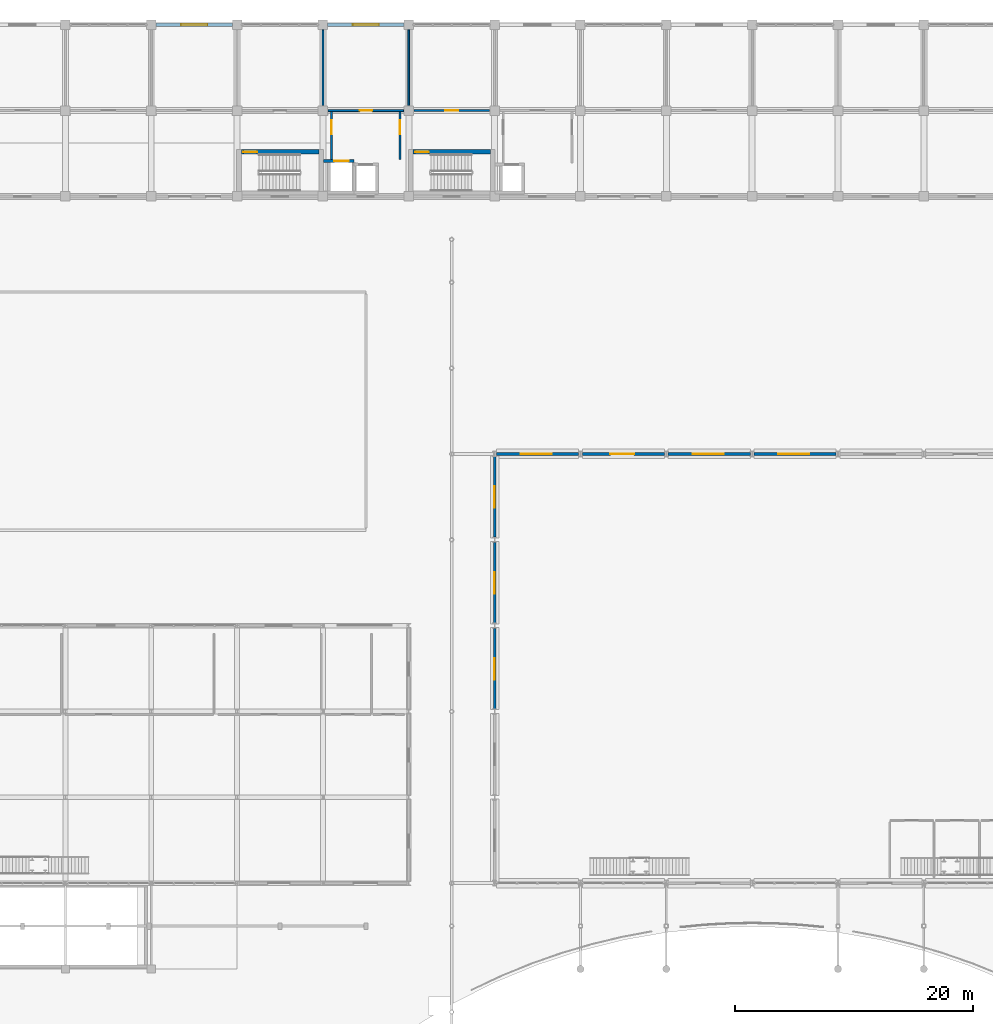
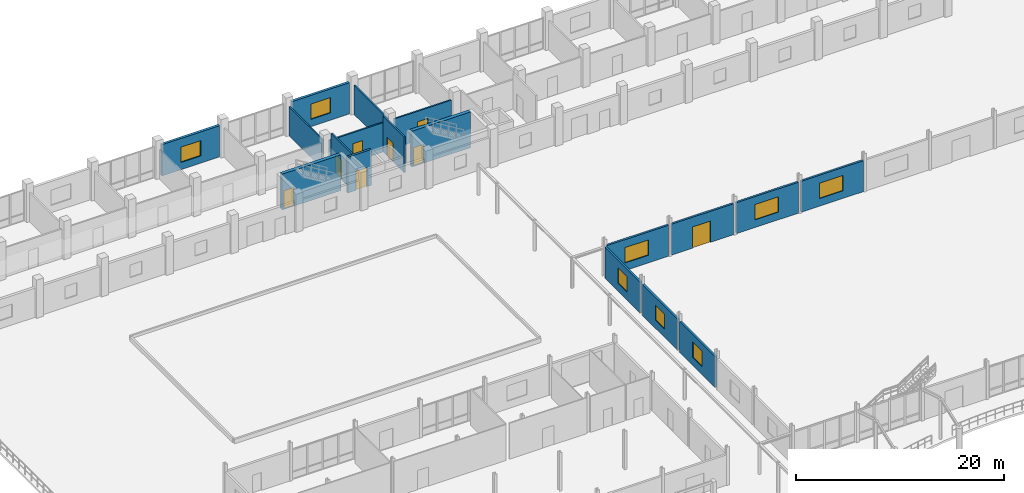
# One storey, part 117 of 139: 18 walls, 8 doors, 8 windows, 16 openings.
"""IFC4 building model written with IfcOpenShell, lengths in metres."""

from ifc_helpers import new_model, si_unit, direction, frame, frame_2d, origin, place, context, subcontext, project, spatial, rectangle, extrude, material, layer, layer_set, type_object, element, fill, save


model = new_model("IFC4")

# Units and contexts
model_context = context("Model", 3, precision=1e-05, world=origin(), true_north=direction((0.0, 1.0)))
body_context = subcontext(model_context, "Body", "Model", "MODEL_VIEW")
ifc_project = project(units=[si_unit("LENGTHUNIT", "METRE"), si_unit("AREAUNIT", "SQUARE_METRE"), si_unit("VOLUMEUNIT", "CUBIC_METRE"), si_unit("PLANEANGLEUNIT", "RADIAN"), si_unit("MASSUNIT", "GRAM", prefix="KILO")], contexts=[model_context])

# Site, building, storey
site_placement = place(None, origin())
site = spatial("IfcSite", under=ifc_project, at=site_placement, CompositionType="ELEMENT")
building_placement = place(site_placement, origin())
building = spatial("IfcBuilding", under=site, at=building_placement, Name="Suanplinth Sawtooth Commons", CompositionType="ELEMENT")
storey_placement = place(building_placement, origin())
storey = spatial("IfcBuildingStorey", under=building, at=storey_placement, Name="L00", CompositionType="ELEMENT", Elevation=0.0)

# Wall, opening, door
ifc_material_1 = material(Name="Concrete C40/50", Category="concrete")
ifc_layer_1 = layer(ifc_material_1, 0.3798828125, Name="Lower high-rise RC core shear wall 380mm")
ifc_layer_set_1 = layer_set([ifc_layer_1], Name="Concrete C40/50")
wall_type_1 = type_object("IfcWallType", Name="W-CR01", PredefinedType="SHEAR", material=ifc_layer_set_1)
wall_1_placement = place(storey_placement, frame((43.550048828125, 111.739990234375, 0.0), z_axis=(0.0, 0.0, 1.0), x_axis=(1.0, 0.0, 0.0)))
wall_1 = element("IfcWall", 1, at=wall_1_placement, inside=storey, type_object=wall_type_1, Name="W-L00-C-A1-STN", PredefinedType="SHEAR", context=body_context, shape_type="SweptSolid", body=[
    extrude(rectangle(XDim=6.5, YDim=0.3798828125, at=frame_2d((3.25, 0.0))), origin(), (0.0, 0.0, 1.0), 4.199951171875),
])
opening_1_placement = place(wall_1_placement, frame((0.179931640625, 0.0, 0.0)))
opening_1 = element("IfcOpeningElement", 2, at=opening_1_placement, cuts=wall_1, Name="Opening FD0006", PredefinedType="OPENING", context=body_context, shape_type="SweptSolid", body=[
    extrude(rectangle(XDim=1.14990234375, YDim=2.199951171875, at=frame_2d((0.574951171875, 1.10009765625))), frame((0.0, 0.204833984375, 0.0), z_axis=(0.0, -1.0, 0.0), x_axis=(1.0, 0.0, 0.0)), (0.0, 0.0, 1.0), 0.40966796875),
])
ifc_material_2 = material(Name="Teak hardwood fire-rated door assembly", Category="wood")
door_type_1 = type_object("IfcDoorType", Name="FD-01", OperationType="NOTDEFINED", PredefinedType="DOOR", material=ifc_material_2)
door_1_placement = place(opening_1_placement, origin())
door_1 = element("IfcDoor", 3, at=door_1_placement, inside=storey, type_object=door_type_1, Name="Exit Stair Fire Door FD0006", OperationType="SINGLE_SWING_LEFT", OverallHeight=2.199951171875, OverallWidth=1.14990234375, PredefinedType="DOOR", context=body_context, shape_type="SweptSolid", body=[
    extrude(rectangle(XDim=1.14990234375, YDim=2.199951171875, at=frame_2d((0.574951171875, 1.10009765625))), frame((0.0, 0.02490234375, 0.0), z_axis=(0.0, -1.0, 0.0), x_axis=(1.0, 0.0, 0.0)), (0.0, 0.0, 1.0), 0.050048828125),
])
fill(opening_1, door_1)

wall_2_placement = place(storey_placement, frame((57.949951171875, 111.739990234375, 0.0), z_axis=(0.0, 0.0, 1.0), x_axis=(1.0, 0.0, 0.0)))
wall_2 = element("IfcWall", 4, at=wall_2_placement, inside=storey, type_object=wall_type_1, Name="W-L00-C-A2-STN", PredefinedType="SHEAR", context=body_context, shape_type="SweptSolid", body=[
    extrude(rectangle(XDim=6.5, YDim=0.3798828125, at=frame_2d((3.25, 0.0))), origin(), (0.0, 0.0, 1.0), 4.199951171875),
])
opening_2_placement = place(wall_2_placement, frame((0.179931640625, 0.0, 0.0)))
opening_2 = element("IfcOpeningElement", 5, at=opening_2_placement, cuts=wall_2, Name="Opening FD0090", PredefinedType="OPENING", context=body_context, shape_type="SweptSolid", body=[
    extrude(rectangle(XDim=1.14990234375, YDim=2.199951171875, at=frame_2d((0.574951171875, 1.10009765625))), frame((0.0, 0.204833984375, 0.0), z_axis=(0.0, -1.0, 0.0), x_axis=(1.0, 0.0, 0.0)), (0.0, 0.0, 1.0), 0.40966796875),
])
door_2_placement = place(opening_2_placement, origin())
door_2 = element("IfcDoor", 6, at=door_2_placement, inside=storey, type_object=door_type_1, Name="Exit Stair Fire Door FD0090", OperationType="SINGLE_SWING_RIGHT", OverallHeight=2.199951171875, OverallWidth=1.14990234375, PredefinedType="DOOR", context=body_context, shape_type="SweptSolid", body=[
    extrude(rectangle(XDim=1.14990234375, YDim=2.199951171875, at=frame_2d((0.574951171875, 1.10009765625))), frame((0.0, 0.02490234375, 0.0), z_axis=(0.0, -1.0, 0.0), x_axis=(1.0, 0.0, 0.0)), (0.0, 0.0, 1.0), 0.050048828125),
])
fill(opening_2, door_2)

# Wall, opening, window
ifc_material_3 = material(Name="Precast concrete C40/50", Category="concrete")
ifc_layer_2 = layer(ifc_material_3, 0.280029296875, Name="Insulated precast architectural facade wall 280mm")
ifc_layer_set_2 = layer_set([ifc_layer_2], Name="Precast concrete C40/50")
wall_type_2 = type_object("IfcWallType", Name="W-EX01", PredefinedType="ELEMENTEDWALL", material=ifc_layer_set_2)
wall_3_placement = place(storey_placement, frame((36.39990234375, 122.39990234375, 0.0), z_axis=(0.0, 0.0, 1.0), x_axis=(1.0, 0.0, 0.0)))
wall_3 = element("IfcWall", 7, at=wall_3_placement, inside=storey, type_object=wall_type_2, Name="Facade Wall W-L00-A-N-5", PredefinedType="ELEMENTEDWALL", context=body_context, shape_type="SweptSolid", body=[
    extrude(rectangle(XDim=6.400146484375, YDim=0.280029296875, at=frame_2d((3.2001953125, 0.0))), origin(), (0.0, 0.0, 1.0), 3.6650390625),
])
opening_3_placement = place(wall_3_placement, frame((2.10009765625, 0.0, 0.85009765625)))
opening_3 = element("IfcOpeningElement", 8, at=opening_3_placement, cuts=wall_3, Name="Opening W0080", PredefinedType="OPENING", context=body_context, shape_type="SweptSolid", body=[
    extrude(rectangle(XDim=2.199951171875, YDim=1.800048828125, at=frame_2d((1.10009765625, 0.89990234375))), frame((0.0, 0.15478515625, 0.0), z_axis=(0.0, -1.0, 0.0), x_axis=(1.0, 0.0, 0.0)), (0.0, 0.0, 1.0), 0.309814453125),
])
ifc_material_4 = material(Name="Thermally broken aluminium and low-E double glazing", Category="aluminium")
window_type_1 = type_object("IfcWindowType", Name="WN-11", PartitioningType="TRIPLE_PANEL_VERTICAL", PredefinedType="WINDOW", material=ifc_material_4)
window_1_placement = place(opening_3_placement, origin())
window_1 = element("IfcWindow", 9, at=window_1_placement, inside=storey, type_object=window_type_1, Name="Shopfront Window A-5", OverallHeight=1.800048828125, OverallWidth=2.199951171875, PartitioningType="TRIPLE_PANEL_VERTICAL", PredefinedType="WINDOW", context=body_context, shape_type="SweptSolid", body=[
    extrude(rectangle(XDim=2.199951171875, YDim=1.800048828125, at=frame_2d((1.10009765625, 0.89990234375))), frame((0.0, 0.030029296875, 0.0), z_axis=(0.0, -1.0, 0.0), x_axis=(1.0, 0.0, 0.0)), (0.0, 0.0, 1.0), 0.06005859375),
])
fill(opening_3, window_1)

wall_4_placement = place(storey_placement, frame((50.800048828125, 122.39990234375, 0.0), z_axis=(0.0, 0.0, 1.0), x_axis=(1.0, 0.0, 0.0)))
wall_4 = element("IfcWall", 10, at=wall_4_placement, inside=storey, type_object=wall_type_2, Name="Facade Wall W-L00-A-N-7", PredefinedType="ELEMENTEDWALL", context=body_context, shape_type="SweptSolid", body=[
    extrude(rectangle(XDim=6.39990234375, YDim=0.280029296875, at=frame_2d((3.199951171875, 0.0))), origin(), (0.0, 0.0, 1.0), 3.6650390625),
])
opening_4_placement = place(wall_4_placement, frame((2.10009765625, 0.0, 0.85009765625)))
opening_4 = element("IfcOpeningElement", 11, at=opening_4_placement, cuts=wall_4, Name="Opening W0082", PredefinedType="OPENING", context=body_context, shape_type="SweptSolid", body=[
    extrude(rectangle(XDim=2.199951171875, YDim=1.800048828125, at=frame_2d((1.10009765625, 0.89990234375))), frame((0.0, 0.15478515625, 0.0), z_axis=(0.0, -1.0, 0.0), x_axis=(1.0, 0.0, 0.0)), (0.0, 0.0, 1.0), 0.309814453125),
])
window_2_placement = place(opening_4_placement, origin())
window_2 = element("IfcWindow", 12, at=window_2_placement, inside=storey, type_object=window_type_1, Name="Shopfront Window A-7", OverallHeight=1.800048828125, OverallWidth=2.199951171875, PartitioningType="TRIPLE_PANEL_VERTICAL", PredefinedType="WINDOW", context=body_context, shape_type="SweptSolid", body=[
    extrude(rectangle(XDim=2.199951171875, YDim=1.800048828125, at=frame_2d((1.10009765625, 0.89990234375))), frame((0.0, 0.030029296875, 0.0), z_axis=(0.0, -1.0, 0.0), x_axis=(1.0, 0.0, 0.0)), (0.0, 0.0, 1.0), 0.06005859375),
])
fill(opening_4, window_2)

ifc_layer_3 = layer(ifc_material_3, 0.219970703125, Name="Civic pavilion insulated facade wall 220mm")
ifc_layer_set_3 = layer_set([ifc_layer_3], Name="Precast concrete C40/50")
wall_type_3 = type_object("IfcWallType", Name="W-EX05", PredefinedType="ELEMENTEDWALL", material=ifc_layer_set_3)
wall_5_placement = place(storey_placement, frame((64.949951171875, 86.39990234375, 0.0), z_axis=(0.0, 0.0, 1.0), x_axis=(1.0, 0.0, 0.0)))
wall_5 = element("IfcWall", 13, at=wall_5_placement, inside=storey, type_object=wall_type_3, Name="Hall North Facade Wall L00-0", PredefinedType="ELEMENTEDWALL", context=body_context, shape_type="SweptSolid", body=[
    extrude(rectangle(XDim=6.900146484375, YDim=0.219970703125, at=frame_2d((3.4501953125, 0.0))), origin(), (0.0, 0.0, 1.0), 3.635009765625),
])
opening_5_placement = place(wall_5_placement, frame((2.050048828125, 0.0, 0.89990234375)))
opening_5 = element("IfcOpeningElement", 14, at=opening_5_placement, cuts=wall_5, Name="Opening W0001", PredefinedType="OPENING", context=body_context, shape_type="SweptSolid", body=[
    extrude(rectangle(XDim=2.60009765625, YDim=1.800048828125, at=frame_2d((1.300048828125, 0.89990234375))), frame((0.0, 0.125, 0.0), z_axis=(0.0, -1.0, 0.0), x_axis=(1.0, 0.0, 0.0)), (0.0, 0.0, 1.0), 0.249755859375),
])
window_type_2 = type_object("IfcWindowType", Name="WN-13", PartitioningType="TRIPLE_PANEL_VERTICAL", PredefinedType="WINDOW", material=ifc_material_4)
window_3_placement = place(opening_5_placement, origin())
window_3 = element("IfcWindow", 15, at=window_3_placement, inside=storey, type_object=window_type_2, Name="Hall North Window L00-0", OverallHeight=1.800048828125, OverallWidth=2.60009765625, PartitioningType="TRIPLE_PANEL_VERTICAL", PredefinedType="WINDOW", context=body_context, shape_type="SweptSolid", body=[
    extrude(rectangle(XDim=2.60009765625, YDim=1.800048828125, at=frame_2d((1.300048828125, 0.89990234375))), frame((0.0, 0.030029296875, 0.0), z_axis=(0.0, -1.0, 0.0), x_axis=(1.0, 0.0, 0.0)), (0.0, 0.0, 1.0), 0.06005859375),
])
fill(opening_5, window_3)

# Wall, opening, door
wall_6_placement = place(storey_placement, frame((72.14990234375, 86.39990234375, 0.0), z_axis=(0.0, 0.0, 1.0), x_axis=(1.0, 0.0, 0.0)))
wall_6 = element("IfcWall", 16, at=wall_6_placement, inside=storey, type_object=wall_type_3, Name="Hall North Facade Wall L00-1", PredefinedType="ELEMENTEDWALL", context=body_context, shape_type="SweptSolid", body=[
    extrude(rectangle(XDim=6.900146484375, YDim=0.219970703125, at=frame_2d((3.4501953125, 0.0))), origin(), (0.0, 0.0, 1.0), 3.635009765625),
])
opening_6_placement = place(wall_6_placement, frame((2.35009765625, 0.0, 0.0)))
opening_6 = element("IfcOpeningElement", 17, at=opening_6_placement, cuts=wall_6, Name="Opening ED0005", PredefinedType="OPENING", context=body_context, shape_type="SweptSolid", body=[
    extrude(rectangle(XDim=2.0, YDim=2.5, at=frame_2d((1.0, 1.25))), frame((0.0, 0.125, 0.0), z_axis=(0.0, -1.0, 0.0), x_axis=(1.0, 0.0, 0.0)), (0.0, 0.0, 1.0), 0.249755859375),
])
ifc_material_5 = material(Name="Anodized aluminium and laminated glass", Category="aluminium")
door_type_2 = type_object("IfcDoorType", Name="ED-02", OperationType="DOUBLE_DOOR_SINGLE_SWING", PredefinedType="DOOR", material=ifc_material_5)
door_3_placement = place(opening_6_placement, frame((2.0, 0.0, 0.0), z_axis=(0.0, 0.0, 1.0), x_axis=(-1.0, 0.0, 0.0)))
door_3 = element("IfcDoor", 18, at=door_3_placement, inside=storey, type_object=door_type_2, Name="Hall North Courtyard Exit 1", OperationType="DOUBLE_DOOR_SINGLE_SWING", OverallHeight=2.5, OverallWidth=2.0, PredefinedType="DOOR", context=body_context, shape_type="SweptSolid", body=[
    extrude(rectangle(XDim=2.0, YDim=2.5, at=frame_2d((1.0, 1.25))), frame((0.0, 0.02490234375, 0.0), z_axis=(0.0, -1.0, 0.0), x_axis=(1.0, 0.0, 0.0)), (0.0, 0.0, 1.0), 0.050048828125),
])
fill(opening_6, door_3)

# Wall, opening, window
wall_7_placement = place(storey_placement, frame((79.35009765625, 86.39990234375, 0.0), z_axis=(0.0, 0.0, 1.0), x_axis=(1.0, 0.0, 0.0)))
wall_7 = element("IfcWall", 19, at=wall_7_placement, inside=storey, type_object=wall_type_3, Name="Hall North Facade Wall L00-2", PredefinedType="ELEMENTEDWALL", context=body_context, shape_type="SweptSolid", body=[
    extrude(rectangle(XDim=6.89990234375, YDim=0.219970703125, at=frame_2d((3.449951171875, 0.0))), origin(), (0.0, 0.0, 1.0), 3.635009765625),
])
opening_7_placement = place(wall_7_placement, frame((2.050048828125, 0.0, 0.89990234375)))
opening_7 = element("IfcOpeningElement", 20, at=opening_7_placement, cuts=wall_7, Name="Opening W0002", PredefinedType="OPENING", context=body_context, shape_type="SweptSolid", body=[
    extrude(rectangle(XDim=2.60009765625, YDim=1.800048828125, at=frame_2d((1.300048828125, 0.89990234375))), frame((0.0, 0.125, 0.0), z_axis=(0.0, -1.0, 0.0), x_axis=(1.0, 0.0, 0.0)), (0.0, 0.0, 1.0), 0.249755859375),
])
window_4_placement = place(opening_7_placement, origin())
window_4 = element("IfcWindow", 21, at=window_4_placement, inside=storey, type_object=window_type_2, Name="Hall North Window L00-2", OverallHeight=1.800048828125, OverallWidth=2.60009765625, PartitioningType="TRIPLE_PANEL_VERTICAL", PredefinedType="WINDOW", context=body_context, shape_type="SweptSolid", body=[
    extrude(rectangle(XDim=2.60009765625, YDim=1.800048828125, at=frame_2d((1.300048828125, 0.89990234375))), frame((0.0, 0.030029296875, 0.0), z_axis=(0.0, -1.0, 0.0), x_axis=(1.0, 0.0, 0.0)), (0.0, 0.0, 1.0), 0.06005859375),
])
fill(opening_7, window_4)

wall_8_placement = place(storey_placement, frame((86.550048828125, 86.39990234375, 0.0), z_axis=(0.0, 0.0, 1.0), x_axis=(1.0, 0.0, 0.0)))
wall_8 = element("IfcWall", 22, at=wall_8_placement, inside=storey, type_object=wall_type_3, Name="Hall North Facade Wall L00-3", PredefinedType="ELEMENTEDWALL", context=body_context, shape_type="SweptSolid", body=[
    extrude(rectangle(XDim=6.89990234375, YDim=0.219970703125, at=frame_2d((3.449951171875, 0.0))), origin(), (0.0, 0.0, 1.0), 3.635009765625),
])
opening_8_placement = place(wall_8_placement, frame((2.050048828125, 0.0, 0.89990234375)))
opening_8 = element("IfcOpeningElement", 23, at=opening_8_placement, cuts=wall_8, Name="Opening W0003", PredefinedType="OPENING", context=body_context, shape_type="SweptSolid", body=[
    extrude(rectangle(XDim=2.60009765625, YDim=1.800048828125, at=frame_2d((1.300048828125, 0.89990234375))), frame((0.0, 0.125, 0.0), z_axis=(0.0, -1.0, 0.0), x_axis=(1.0, 0.0, 0.0)), (0.0, 0.0, 1.0), 0.249755859375),
])
window_5_placement = place(opening_8_placement, origin())
window_5 = element("IfcWindow", 24, at=window_5_placement, inside=storey, type_object=window_type_2, Name="Hall North Window L00-3", OverallHeight=1.800048828125, OverallWidth=2.60009765625, PartitioningType="TRIPLE_PANEL_VERTICAL", PredefinedType="WINDOW", context=body_context, shape_type="SweptSolid", body=[
    extrude(rectangle(XDim=2.60009765625, YDim=1.800048828125, at=frame_2d((1.300048828125, 0.89990234375))), frame((0.0, 0.030029296875, 0.0), z_axis=(0.0, -1.0, 0.0), x_axis=(1.0, 0.0, 0.0)), (0.0, 0.0, 1.0), 0.06005859375),
])
fill(opening_8, window_5)

wall_9_placement = place(storey_placement, frame((64.800048828125, 65.02490234375, 0.0), z_axis=(0.0, 0.0, 1.0), x_axis=(0.0, 1.0, 0.0)))
wall_9 = element("IfcWall", 25, at=wall_9_placement, inside=storey, type_object=wall_type_3, Name="Hall W Wall L00-9", PredefinedType="ELEMENTEDWALL", context=body_context, shape_type="SweptSolid", body=[
    extrude(rectangle(XDim=6.75, YDim=0.219970703125, at=frame_2d((3.375, 0.0))), origin(), (0.0, 0.0, 1.0), 3.635009765625),
])
opening_9_placement = place(wall_9_placement, frame((2.449951171875, 0.0, 0.949951171875)))
opening_9 = element("IfcOpeningElement", 26, at=opening_9_placement, cuts=wall_9, Name="Opening W0014", PredefinedType="OPENING", context=body_context, shape_type="SweptSolid", body=[
    extrude(rectangle(XDim=1.800048828125, YDim=1.800048828125, at=frame_2d((0.89990234375, 0.89990234375))), frame((0.0, 0.125, 0.0), z_axis=(0.0, -1.0, 0.0), x_axis=(1.0, 0.0, 0.0)), (0.0, 0.0, 1.0), 0.249755859375),
])
window_type_3 = type_object("IfcWindowType", Name="WN-07", PartitioningType="DOUBLE_PANEL_VERTICAL", PredefinedType="WINDOW", material=ifc_material_4)
window_6_placement = place(opening_9_placement, origin())
window_6 = element("IfcWindow", 27, at=window_6_placement, inside=storey, type_object=window_type_3, Name="Hall W Window L00-9", OverallHeight=1.800048828125, OverallWidth=1.800048828125, PartitioningType="DOUBLE_PANEL_VERTICAL", PredefinedType="WINDOW", context=body_context, shape_type="SweptSolid", body=[
    extrude(rectangle(XDim=1.800048828125, YDim=1.800048828125, at=frame_2d((0.89990234375, 0.89990234375))), frame((0.0, 0.030029296875, 0.0), z_axis=(0.0, -1.0, 0.0), x_axis=(1.0, 0.0, 0.0)), (0.0, 0.0, 1.0), 0.06005859375),
])
fill(opening_9, window_6)

wall_10_placement = place(storey_placement, frame((64.800048828125, 72.22509765625, 0.0), z_axis=(0.0, 0.0, 1.0), x_axis=(0.0, 1.0, 0.0)))
wall_10 = element("IfcWall", 28, at=wall_10_placement, inside=storey, type_object=wall_type_3, Name="Hall W Wall L00-10", PredefinedType="ELEMENTEDWALL", context=body_context, shape_type="SweptSolid", body=[
    extrude(rectangle(XDim=6.75, YDim=0.219970703125, at=frame_2d((3.375, 0.0))), origin(), (0.0, 0.0, 1.0), 3.635009765625),
])
opening_10_placement = place(wall_10_placement, frame((2.449951171875, 0.0, 0.949951171875)))
opening_10 = element("IfcOpeningElement", 29, at=opening_10_placement, cuts=wall_10, Name="Opening W0018", PredefinedType="OPENING", context=body_context, shape_type="SweptSolid", body=[
    extrude(rectangle(XDim=1.800048828125, YDim=1.800048828125, at=frame_2d((0.89990234375, 0.89990234375))), frame((0.0, 0.125, 0.0), z_axis=(0.0, -1.0, 0.0), x_axis=(1.0, 0.0, 0.0)), (0.0, 0.0, 1.0), 0.249755859375),
])
window_7_placement = place(opening_10_placement, origin())
window_7 = element("IfcWindow", 30, at=window_7_placement, inside=storey, type_object=window_type_3, Name="Hall W Window L00-10", OverallHeight=1.800048828125, OverallWidth=1.800048828125, PartitioningType="DOUBLE_PANEL_VERTICAL", PredefinedType="WINDOW", context=body_context, shape_type="SweptSolid", body=[
    extrude(rectangle(XDim=1.800048828125, YDim=1.800048828125, at=frame_2d((0.89990234375, 0.89990234375))), frame((0.0, 0.030029296875, 0.0), z_axis=(0.0, -1.0, 0.0), x_axis=(1.0, 0.0, 0.0)), (0.0, 0.0, 1.0), 0.06005859375),
])
fill(opening_10, window_7)

wall_11_placement = place(storey_placement, frame((64.800048828125, 79.425048828125, 0.0), z_axis=(0.0, 0.0, 1.0), x_axis=(0.0, 1.0, 0.0)))
wall_11 = element("IfcWall", 31, at=wall_11_placement, inside=storey, type_object=wall_type_3, Name="Hall W Wall L00-11", PredefinedType="ELEMENTEDWALL", context=body_context, shape_type="SweptSolid", body=[
    extrude(rectangle(XDim=6.75, YDim=0.219970703125, at=frame_2d((3.375, 0.0))), origin(), (0.0, 0.0, 1.0), 3.635009765625),
])
opening_11_placement = place(wall_11_placement, frame((2.449951171875, 0.0, 0.949951171875)))
opening_11 = element("IfcOpeningElement", 32, at=opening_11_placement, cuts=wall_11, Name="Opening W0022", PredefinedType="OPENING", context=body_context, shape_type="SweptSolid", body=[
    extrude(rectangle(XDim=1.800048828125, YDim=1.800048828125, at=frame_2d((0.89990234375, 0.89990234375))), frame((0.0, 0.125, 0.0), z_axis=(0.0, -1.0, 0.0), x_axis=(1.0, 0.0, 0.0)), (0.0, 0.0, 1.0), 0.249755859375),
])
window_8_placement = place(opening_11_placement, origin())
window_8 = element("IfcWindow", 33, at=window_8_placement, inside=storey, type_object=window_type_3, Name="Hall W Window L00-11", OverallHeight=1.800048828125, OverallWidth=1.800048828125, PartitioningType="DOUBLE_PANEL_VERTICAL", PredefinedType="WINDOW", context=body_context, shape_type="SweptSolid", body=[
    extrude(rectangle(XDim=1.800048828125, YDim=1.800048828125, at=frame_2d((0.89990234375, 0.89990234375))), frame((0.0, 0.030029296875, 0.0), z_axis=(0.0, -1.0, 0.0), x_axis=(1.0, 0.0, 0.0)), (0.0, 0.0, 1.0), 0.06005859375),
])
fill(opening_11, window_8)

# Wall, opening, door
ifc_layer_4 = layer(ifc_material_3, 0.159912109375, Name="Fire-rated corridor and lobby wall 160mm")
ifc_layer_set_4 = layer_set([ifc_layer_4], Name="Precast concrete C40/50")
wall_type_4 = type_object("IfcWallType", Name="W-FW01", PredefinedType="PARTITIONING", material=ifc_layer_set_4)
wall_12_placement = place(storey_placement, frame((51.1201171875, 111.10009765625, 0.0), z_axis=(0.0, 0.0, 1.0), x_axis=(0.0, 1.0, 0.0)))
wall_12 = element("IfcWall", 34, at=wall_12_placement, inside=storey, type_object=wall_type_4, Name="W-L00-C-A1-LOB-W", PredefinedType="PARTITIONING", context=body_context, shape_type="SweptSolid", body=[
    extrude(rectangle(XDim=4.02001953125, YDim=0.159912109375, at=frame_2d((2.010009765625, 0.0))), origin(), (0.0, 0.0, 1.0), 4.199951171875),
])
opening_12_placement = place(wall_12_placement, frame((2.10009765625, 0.0, 0.0)))
opening_12 = element("IfcOpeningElement", 35, at=opening_12_placement, cuts=wall_12, Name="Opening FD0007", PredefinedType="OPENING", context=body_context, shape_type="SweptSolid", body=[
    extrude(rectangle(XDim=1.199951171875, YDim=2.199951171875, at=frame_2d((0.60009765625, 1.10009765625))), frame((0.0, 0.0947265625, 0.0), z_axis=(0.0, -1.0, 0.0), x_axis=(1.0, 0.0, 0.0)), (0.0, 0.0, 1.0), 0.189697265625),
])
door_type_3 = type_object("IfcDoorType", Name="FD-02", OperationType="NOTDEFINED", PredefinedType="DOOR", material=ifc_material_2)
door_4_placement = place(opening_12_placement, origin())
door_4 = element("IfcDoor", 36, at=door_4_placement, inside=storey, type_object=door_type_3, Name="Lobby Fire Door FD0007", OperationType="SINGLE_SWING_RIGHT", OverallHeight=2.199951171875, OverallWidth=1.199951171875, PredefinedType="DOOR", context=body_context, shape_type="SweptSolid", body=[
    extrude(rectangle(XDim=1.199951171875, YDim=2.199951171875, at=frame_2d((0.60009765625, 1.10009765625))), frame((0.0, 0.02490234375, 0.0), z_axis=(0.0, -1.0, 0.0), x_axis=(1.0, 0.0, 0.0)), (0.0, 0.0, 1.0), 0.050048828125),
])
fill(opening_12, door_4)

wall_13_placement = place(storey_placement, frame((56.8798828125, 111.10009765625, 0.0), z_axis=(0.0, 0.0, 1.0), x_axis=(0.0, 1.0, 0.0)))
wall_13 = element("IfcWall", 37, at=wall_13_placement, inside=storey, type_object=wall_type_4, Name="W-L00-C-A1-LOB-E", PredefinedType="PARTITIONING", context=body_context, shape_type="SweptSolid", body=[
    extrude(rectangle(XDim=4.02001953125, YDim=0.159912109375, at=frame_2d((2.010009765625, 0.0))), origin(), (0.0, 0.0, 1.0), 4.199951171875),
])
opening_13_placement = place(wall_13_placement, frame((2.10009765625, 0.0, 0.0)))
opening_13 = element("IfcOpeningElement", 38, at=opening_13_placement, cuts=wall_13, Name="Opening FD0008", PredefinedType="OPENING", context=body_context, shape_type="SweptSolid", body=[
    extrude(rectangle(XDim=1.199951171875, YDim=2.199951171875, at=frame_2d((0.60009765625, 1.10009765625))), frame((0.0, 0.0947265625, 0.0), z_axis=(0.0, -1.0, 0.0), x_axis=(1.0, 0.0, 0.0)), (0.0, 0.0, 1.0), 0.189697265625),
])
door_5_placement = place(opening_13_placement, frame((1.199951171875, 0.0, 0.0), z_axis=(0.0, 0.0, 1.0), x_axis=(-1.0, 0.0, 0.0)))
door_5 = element("IfcDoor", 39, at=door_5_placement, inside=storey, type_object=door_type_3, Name="Lobby Fire Door FD0008", OperationType="SINGLE_SWING_LEFT", OverallHeight=2.199951171875, OverallWidth=1.199951171875, PredefinedType="DOOR", context=body_context, shape_type="SweptSolid", body=[
    extrude(rectangle(XDim=1.199951171875, YDim=2.199951171875, at=frame_2d((0.60009765625, 1.10009765625))), frame((0.0, 0.02490234375, 0.0), z_axis=(0.0, -1.0, 0.0), x_axis=(1.0, 0.0, 0.0)), (0.0, 0.0, 1.0), 0.050048828125),
])
fill(opening_13, door_5)

wall_14_placement = place(storey_placement, frame((50.830078125, 115.199951171875, 0.0), z_axis=(0.0, 0.0, 1.0), x_axis=(1.0, 0.0, 0.0)))
wall_14 = element("IfcWall", 40, at=wall_14_placement, inside=storey, type_object=wall_type_4, Name="W-A-L00-GROUNDROOM-7-COR", PredefinedType="PARTITIONING", context=body_context, shape_type="SweptSolid", body=[
    extrude(rectangle(XDim=6.33984375, YDim=0.159912109375, at=frame_2d((3.169921875, 0.0))), origin(), (0.0, 0.0, 1.0), 3.43505859375),
])
opening_14_placement = place(wall_14_placement, frame((2.64501953125, 0.0, 0.0)))
opening_14 = element("IfcOpeningElement", 41, at=opening_14_placement, cuts=wall_14, Name="Opening FD0477", PredefinedType="OPENING", context=body_context, shape_type="SweptSolid", body=[
    extrude(rectangle(XDim=1.050048828125, YDim=2.14990234375, at=frame_2d((0.52490234375, 1.074951171875))), frame((0.0, 0.0947265625, 0.0), z_axis=(0.0, -1.0, 0.0), x_axis=(1.0, 0.0, 0.0)), (0.0, 0.0, 1.0), 0.189697265625),
])
door_type_4 = type_object("IfcDoorType", Name="FD-04", OperationType="NOTDEFINED", PredefinedType="DOOR", material=ifc_material_2)
door_6_placement = place(opening_14_placement, origin())
door_6 = element("IfcDoor", 42, at=door_6_placement, inside=storey, type_object=door_type_4, Name="Unit Entrance Door FD0477", OperationType="SINGLE_SWING_LEFT", OverallHeight=2.14990234375, OverallWidth=1.050048828125, PredefinedType="DOOR", context=body_context, shape_type="SweptSolid", body=[
    extrude(rectangle(XDim=1.050048828125, YDim=2.14990234375, at=frame_2d((0.52490234375, 1.074951171875))), frame((0.0, 0.02490234375, 0.0), z_axis=(0.0, -1.0, 0.0), x_axis=(1.0, 0.0, 0.0)), (0.0, 0.0, 1.0), 0.050048828125),
])
fill(opening_14, door_6)

wall_15_placement = place(storey_placement, frame((58.030029296875, 115.199951171875, 0.0), z_axis=(0.0, 0.0, 1.0), x_axis=(1.0, 0.0, 0.0)))
wall_15 = element("IfcWall", 43, at=wall_15_placement, inside=storey, type_object=wall_type_4, Name="W-A-L00-GROUNDROOM-8-COR", PredefinedType="PARTITIONING", context=body_context, shape_type="SweptSolid", body=[
    extrude(rectangle(XDim=6.340087890625, YDim=0.159912109375, at=frame_2d((3.169921875, 0.0))), origin(), (0.0, 0.0, 1.0), 3.43505859375),
])
opening_15_placement = place(wall_15_placement, frame((2.610107421875, 0.0, 0.0)))
opening_15 = element("IfcOpeningElement", 44, at=opening_15_placement, cuts=wall_15, Name="Opening D0478", PredefinedType="OPENING", context=body_context, shape_type="SweptSolid", body=[
    extrude(rectangle(XDim=1.1201171875, YDim=2.199951171875, at=frame_2d((0.56005859375, 1.10009765625))), frame((0.0, 0.0947265625, 0.0), z_axis=(0.0, -1.0, 0.0), x_axis=(1.0, 0.0, 0.0)), (0.0, 0.0, 1.0), 0.189697265625),
])
ifc_material_6 = material(Name="Teak hardwood", Category="wood")
door_type_5 = type_object("IfcDoorType", Name="D-18", OperationType="NOTDEFINED", PredefinedType="DOOR", material=ifc_material_6)
door_7_placement = place(opening_15_placement, origin())
door_7 = element("IfcDoor", 45, at=door_7_placement, inside=storey, type_object=door_type_5, Name="Unit Entrance Door D0478", OperationType="SINGLE_SWING_RIGHT", OverallHeight=2.199951171875, OverallWidth=1.1201171875, PredefinedType="DOOR", context=body_context, shape_type="SweptSolid", body=[
    extrude(rectangle(XDim=1.1201171875, YDim=2.199951171875, at=frame_2d((0.56005859375, 1.10009765625))), frame((0.0, 0.02490234375, 0.0), z_axis=(0.0, -1.0, 0.0), x_axis=(1.0, 0.0, 0.0)), (0.0, 0.0, 1.0), 0.050048828125),
])
fill(opening_15, door_7)

# Walls
ifc_layer_5 = layer(ifc_material_3, 0.14990234375, Name="Acoustic precast party demising wall 150mm")
ifc_layer_set_5 = layer_set([ifc_layer_5], Name="Precast concrete C40/50")
wall_type_5 = type_object("IfcWallType", Name="W-FW02", PredefinedType="PARTITIONING", material=ifc_layer_set_5)
for number, where, z_axis, x_axis, name in (
    (46, (50.39990234375, 115.6298828125, 0.0), (0.0, 0.0, 1.0), (0.0, 1.0, 0.0), "W-A-L00-GROUNDROOM-6-PTY"),
    (47, (57.60009765625, 115.6298828125, 0.0), (0.0, 0.0, 1.0), (0.0, 1.0, 0.0), "W-A-L00-GROUNDROOM-7-PTY"),
):
    element("IfcWall", number, at=place(storey_placement, frame(where, z_axis=z_axis, x_axis=x_axis)), inside=storey, type_object=wall_type_5, Name=name, PredefinedType="PARTITIONING", context=body_context, shape_type="SweptSolid", body=[
        extrude(rectangle(XDim=6.340087890625, YDim=0.14990234375, at=frame_2d((3.169921875, 0.0))), origin(), (0.0, 0.0, 1.0), 3.43505859375),
    ])

# Wall, opening, door
ifc_layer_6 = layer(ifc_material_3, 0.25, Name="Precast structural shear wall 250mm")
ifc_layer_set_6 = layer_set([ifc_layer_6], Name="Precast concrete C40/50")
wall_type_6 = type_object("IfcWallType", Name="W-SH01", PredefinedType="SHEAR", material=ifc_layer_set_6)
wall_16_placement = place(storey_placement, frame((50.429931640625, 110.97509765625, 0.0), z_axis=(0.0, 0.0, 1.0), x_axis=(1.0, 0.0, 0.0)))
wall_16 = element("IfcWall", 48, at=wall_16_placement, inside=storey, type_object=wall_type_6, Name="W-L00-FL1-N", PredefinedType="SHEAR", context=body_context, shape_type="SweptSolid", body=[
    extrude(rectangle(XDim=2.594970703125, YDim=0.25, at=frame_2d((1.29736328125, 0.0))), origin(), (0.0, 0.0, 1.0), 4.199951171875),
])
opening_16_placement = place(wall_16_placement, frame((0.919921875, 0.0, 0.0)))
opening_16 = element("IfcOpeningElement", 49, at=opening_16_placement, cuts=wall_16, Name="Opening LD0009", PredefinedType="OPENING", context=body_context, shape_type="SweptSolid", body=[
    extrude(rectangle(XDim=1.199951171875, YDim=2.25, at=frame_2d((0.60009765625, 1.125))), frame((0.0, 0.139892578125, 0.0), z_axis=(0.0, -1.0, 0.0), x_axis=(1.0, 0.0, 0.0)), (0.0, 0.0, 1.0), 0.27978515625),
])
ifc_material_7 = material(Name="Stainless steel Grade 304", Category="steel")
door_type_6 = type_object("IfcDoorType", Name="LD-02", OperationType="SLIDING_TO_LEFT", PredefinedType="DOOR", material=ifc_material_7)
door_8_placement = place(opening_16_placement, origin())
door_8 = element("IfcDoor", 50, at=door_8_placement, inside=storey, type_object=door_type_6, Name="Lift Landing Sliding Door FL1 L00", OperationType="SLIDING_TO_LEFT", OverallHeight=2.25, OverallWidth=1.199951171875, PredefinedType="DOOR", context=body_context, shape_type="SweptSolid", body=[
    extrude(rectangle(XDim=1.199951171875, YDim=2.25, at=frame_2d((0.60009765625, 1.125))), frame((0.0, 0.02490234375, 0.0), z_axis=(0.0, -1.0, 0.0), x_axis=(1.0, 0.0, 0.0)), (0.0, 0.0, 1.0), 0.050048828125),
])
fill(opening_16, door_8)

save(model, "model.ifc")
